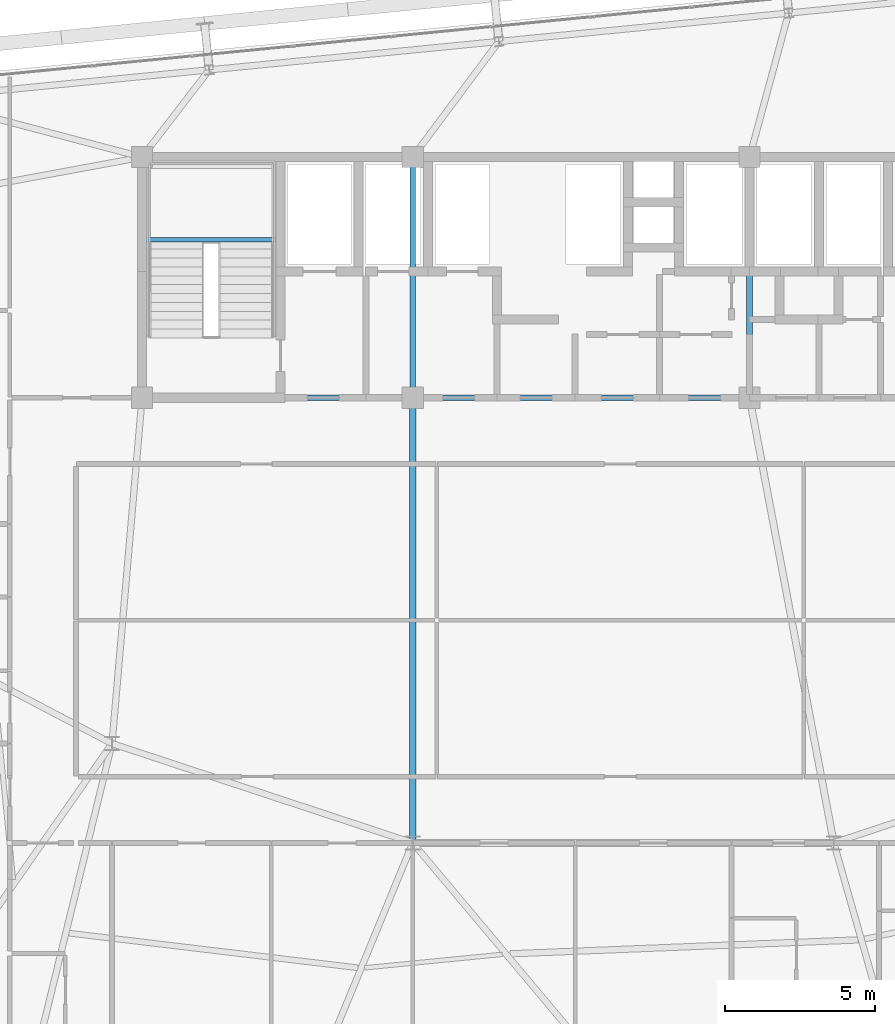
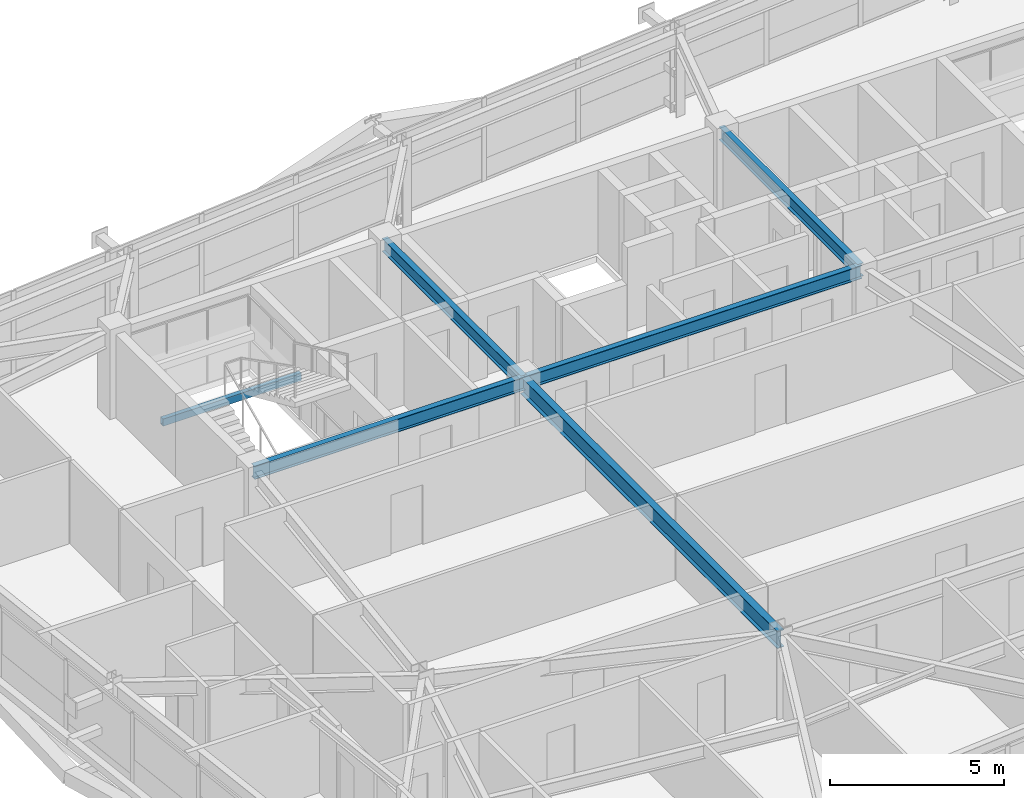
# One storey, part 16 of 54: 6 beams.
"""IFC4 building model written with IfcOpenShell, lengths in metres."""

from ifc_helpers import new_model, si_unit, direction, frame, origin, origin_2d, place, context, subcontext, project, spatial, hollow_rectangle, i_section, extrude, source, transform, mapped, material, material_profile, profile_set, type_object, element, save


model = new_model("IFC4")

# Units and contexts
model_context = context("Model", 3, precision=1e-05, world=origin(), true_north=direction((0.0, 1.0)))
body_context = subcontext(model_context, "Body", "Model", "MODEL_VIEW")
ifc_project = project(units=[si_unit("LENGTHUNIT", "METRE"), si_unit("AREAUNIT", "SQUARE_METRE"), si_unit("VOLUMEUNIT", "CUBIC_METRE"), si_unit("PLANEANGLEUNIT", "RADIAN"), si_unit("MASSUNIT", "GRAM", prefix="KILO")], contexts=[model_context])

# Site, building, storey
site_placement = place(None, origin())
site = spatial("IfcSite", under=ifc_project, at=site_placement, CompositionType="ELEMENT")
building_placement = place(site_placement, origin())
building = spatial("IfcBuilding", under=site, at=building_placement, Name="Taldren Reach Tower", CompositionType="ELEMENT")
storey_placement = place(building_placement, frame((0.0, 0.0, 102.89990234375)))
storey = spatial("IfcBuildingStorey", under=building, at=storey_placement, Name="L31", CompositionType="ELEMENT", Elevation=102.89990234375)

# Beams
ifc_material_1 = material(Name="Steel Gr 350 (350PLUS)", Category="steel")
ifc_material_profile_1 = material_profile(ifc_material_1, i_section(OverallWidth=0.19091796875, OverallDepth=0.4599609375, WebThickness=0.010009765625, FlangeThickness=0.01611328125, at=origin_2d()), Name="460UB82.1")
ifc_profile_set_1 = profile_set([ifc_material_profile_1], Name="Steel Gr 350 (350PLUS)")
beam_type_1 = type_object("IfcBeamType", Name="BM-UB460A", PredefinedType="BEAM", material=ifc_profile_set_1)
shared_shape_1 = source(origin(), body_context, "Body", "SweptSolid", [
    extrude(i_section(OverallWidth=0.19091796875, OverallDepth=0.4599609375, WebThickness=0.010009765625, FlangeThickness=0.01611328125, at=origin_2d()), origin(), (0.0, 0.0, 1.0), 9.0),
])
beam_1_placement = place(storey_placement, frame((19.0, 24.0, 2.7001953125), z_axis=(1.0, 0.0, 0.0), x_axis=(0.0, 1.0, 0.0)))
element("IfcBeam", 1, at=beam_1_placement, inside=storey, type_object=beam_type_1, Name="Core-spine girder L31-SP01", PredefinedType="BEAM", context=body_context, shape_type="MappedRepresentation", body=[
    mapped(shared_shape_1, transform((0.0, 0.0, 0.0), scale=1.0)),
])
shared_shape_2 = source(origin(), body_context, "Body", "SweptSolid", [
    extrude(i_section(OverallWidth=0.19091796875, OverallDepth=0.4599609375, WebThickness=0.010009765625, FlangeThickness=0.01611328125, at=origin_2d()), origin(), (0.0, 0.0, 1.0), 11.199951171875),
])
beam_2_placement = place(storey_placement, frame((28.0, 24.0, 2.7001953125), z_axis=(1.0, 0.0, 0.0), x_axis=(0.0, 1.0, 0.0)))
element("IfcBeam", 2, at=beam_2_placement, inside=storey, type_object=beam_type_1, Name="Core-spine girder L31-SP02", PredefinedType="BEAM", context=body_context, shape_type="MappedRepresentation", body=[
    mapped(shared_shape_2, transform((0.0, 0.0, 0.0), scale=1.0)),
])
shared_shape_3 = source(origin(), body_context, "Body", "SweptSolid", [
    extrude(i_section(OverallWidth=0.19091796875, OverallDepth=0.4599609375, WebThickness=0.010009765625, FlangeThickness=0.01611328125, at=origin_2d()), origin(), (0.0, 0.0, 1.0), 8.0),
])
for number, where, z_axis, x_axis, name in (
    (3, (28.0, 24.0, 2.7001953125), (0.0, 1.0, 0.0), (-1.0, 0.0, 0.0), "Core-spine girder L31-SP07"),
    (4, (39.199951171875, 24.0, 2.7001953125), (0.0, 1.0, 0.0), (-1.0, 0.0, 0.0), "Core-spine girder L31-SP08"),
):
    element("IfcBeam", number, at=place(storey_placement, frame(where, z_axis=z_axis, x_axis=x_axis)), inside=storey, type_object=beam_type_1, Name=name, PredefinedType="BEAM", context=body_context, shape_type="MappedRepresentation", body=[
        mapped(shared_shape_3, transform((0.0, 0.0, 0.0), scale=1.0)),
    ])
ifc_material_profile_2 = material_profile(ifc_material_1, i_section(OverallWidth=0.22802734375, OverallDepth=0.60205078125, WebThickness=0.010498046875, FlangeThickness=0.014892578125, at=origin_2d()), Name="610UB101")
ifc_profile_set_2 = profile_set([ifc_material_profile_2], Name="Steel Gr 350 (350PLUS)")
beam_type_2 = type_object("IfcBeamType", Name="BM-UB610B", PredefinedType="BEAM", material=ifc_profile_set_2)
shared_shape_4 = source(origin(), body_context, "Body", "SweptSolid", [
    extrude(i_section(OverallWidth=0.22802734375, OverallDepth=0.60205078125, WebThickness=0.010498046875, FlangeThickness=0.014892578125, at=origin_2d()), origin(), (0.0, 0.0, 1.0), 14.800048828125),
])
beam_3_placement = place(storey_placement, frame((28.0, 24.0, 2.629150390625), z_axis=(0.0, -1.0, 0.0), x_axis=(1.0, 0.0, 0.0)))
element("IfcBeam", 5, at=beam_3_placement, inside=storey, type_object=beam_type_2, Name="Core-spine girder L31-SP14", PredefinedType="BEAM", context=body_context, shape_type="MappedRepresentation", body=[
    mapped(shared_shape_4, transform((0.0, 0.0, 0.0), scale=1.0)),
])
ifc_material_2 = material(Name="Steel Gr 350 (C350L0)", Category="steel")
ifc_material_profile_3 = material_profile(ifc_material_2, hollow_rectangle(XDim=0.14990234375, YDim=0.25, WallThickness=0.009033203125, at=origin_2d()), Name="250x150x9.0RHS")
ifc_profile_set_3 = profile_set([ifc_material_profile_3], Name="Steel Gr 350 (C350L0)")
beam_type_3 = type_object("IfcBeamType", Name="LN-RHS250", PredefinedType="LINTEL", material=ifc_profile_set_3)
shared_shape_5 = source(origin(), body_context, "Body", "SweptSolid", [
    extrude(hollow_rectangle(XDim=0.14990234375, YDim=0.25, WallThickness=0.009033203125, at=origin_2d()), origin(), (0.0, 0.0, 1.0), 4.60009765625),
])
beam_4_placement = place(storey_placement, frame((19.0, 29.2548828125, 1.27001953125), z_axis=(1.0, 0.0, 0.0), x_axis=(0.0, 1.0, 0.0)))
element("IfcBeam", 6, at=beam_4_placement, inside=storey, type_object=beam_type_3, Name="Stair half-landing support beam ST1-L31-1", PredefinedType="LINTEL", context=body_context, shape_type="MappedRepresentation", body=[
    mapped(shared_shape_5, transform((0.0, 0.0, 0.0), scale=1.0)),
])

save(model, "model.ifc")
